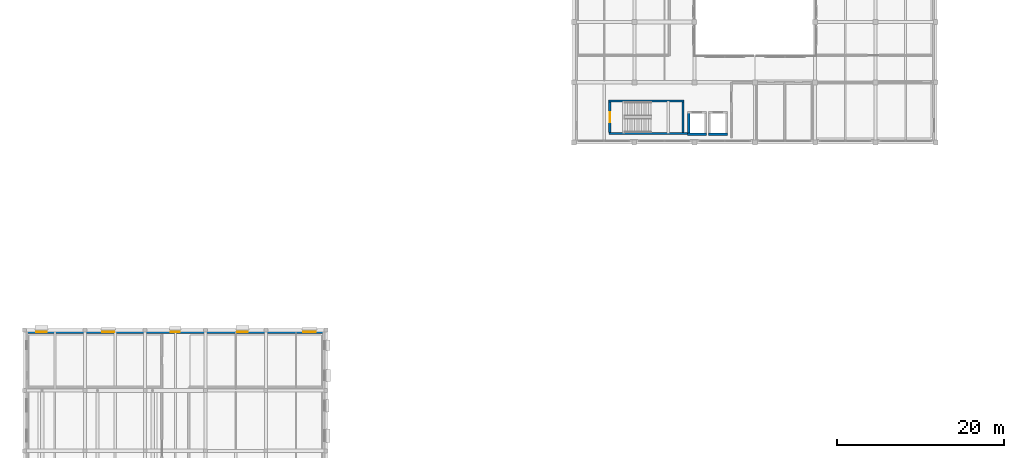
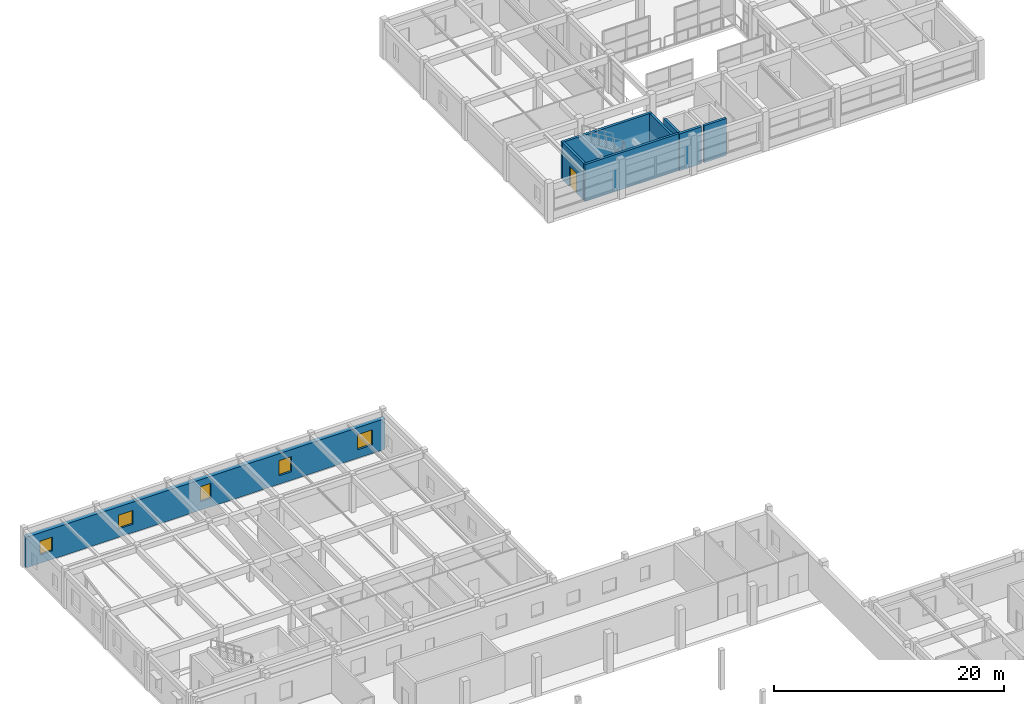
# One storey, part 31 of 49: 8 walls, 5 windows, 1 door, 6 openings.
"""IFC4 building model written with IfcOpenShell, lengths in metres."""

import ifcopenshell
import ifcopenshell.guid

model = None  # the IFC model being written
_history = None  # IfcOwnerHistory: only IFC2X3 demands one
_inside = {}  # id of a spatial element -> (the spatial element, [elements in it])
_under = {}  # id of a project, library or spatial element -> (it, [spatial elements below it])
_declared = {}  # id of a project -> (the project, [libraries it declares])
_typed = {}  # id of a type object -> (the type object, [elements of that type])
_made_of = {}  # id of a material, layer set ... -> (it, [elements and type objects made of it])


def new_model(schema):
    """Start an empty IFC model of exactly this schema.

    Asked for "IFC4X3", IfcOpenShell would pick the latest addendum, in which some entities
    have other attributes; the version numbers below select the first issue.
    IFC2X3 requires an IfcOwnerHistory on every rooted entity: one is made here for all.
    """
    global model, _history
    if schema == "IFC4X3":
        model = ifcopenshell.file(schema_version=(4, 3, 0, 0))
    else:
        model = ifcopenshell.file(schema=schema)
    _inside.clear()
    _under.clear()
    _declared.clear()
    _typed.clear()
    _made_of.clear()
    _history = None
    if model.schema == "IFC2X3":
        org = make("IfcOrganization", Name="unknown")
        user = make(
            "IfcPersonAndOrganization",
            ThePerson=make("IfcPerson", FamilyName="unknown"),
            TheOrganization=org,
        )
        app = make(
            "IfcApplication",
            ApplicationDeveloper=org,
            Version="unknown",
            ApplicationFullName="unknown",
            ApplicationIdentifier="unknown",
        )
        _history = make(
            "IfcOwnerHistory",
            OwningUser=user,
            OwningApplication=app,
            ChangeAction="ADDED",
            CreationDate=0,
        )
    return model


def make(cls, **values):
    """One entity of the class cls with the attributes given. An attribute that is None is left unset."""
    return model.create_entity(
        cls, **{name: value for name, value in values.items() if value is not None}
    )


def rooted(cls, **values):
    """An entity with a GlobalId (a new one), such as an element, a storey or a relation."""
    return make(cls, GlobalId=ifcopenshell.guid.new(), OwnerHistory=_history, **values)


def si_unit(unit_type, name, prefix=None):
    """IfcSIUnit, for example si_unit("LENGTHUNIT", "METRE", prefix="MILLI")."""
    return make("IfcSIUnit", UnitType=unit_type, Prefix=prefix, Name=name)


def assignment(units):
    """IfcUnitAssignment: the units of a project."""
    return None if units is None else make("IfcUnitAssignment", Units=units)


def point(xyz):
    """IfcCartesianPoint."""
    return None if xyz is None else make("IfcCartesianPoint", Coordinates=xyz)


def direction(xyz):
    """IfcDirection."""
    return None if xyz is None else make("IfcDirection", DirectionRatios=xyz)


def frame(location, z_axis=None, x_axis=None):
    """IfcAxis2Placement3D, a coordinate frame: its origin and axes. An axis left out is left unset."""
    return make(
        "IfcAxis2Placement3D",
        Location=point(location),
        Axis=direction(z_axis),
        RefDirection=direction(x_axis),
    )


def frame_2d(location, x_axis=None):
    """IfcAxis2Placement2D, a coordinate frame in the plane: its origin and x axis."""
    return make(
        "IfcAxis2Placement2D", Location=point(location), RefDirection=direction(x_axis)
    )


def origin():
    """The frame at (0, 0, 0) with its axes left unset."""
    return frame((0.0, 0.0, 0.0))


def place(relative_to, where):
    """IfcLocalPlacement: puts the frame where relative to a parent placement (None: the world)."""
    return make(
        "IfcLocalPlacement", PlacementRelTo=relative_to, RelativePlacement=where
    )


def context(
    kind, dimensions, precision=None, world=None, true_north=None, identifier=None
):
    """IfcGeometricRepresentationContext, for example the 3D "Model" context."""
    return make(
        "IfcGeometricRepresentationContext",
        ContextIdentifier=identifier,
        ContextType=kind,
        CoordinateSpaceDimension=dimensions,
        Precision=precision,
        WorldCoordinateSystem=world,
        TrueNorth=true_north,
    )


def subcontext(parent, identifier, kind, view, scale=None):
    """IfcGeometricRepresentationSubContext, for example "Body" below "Model"."""
    return make(
        "IfcGeometricRepresentationSubContext",
        ContextIdentifier=identifier,
        ContextType=kind,
        ParentContext=parent,
        TargetScale=scale,
        TargetView=view,
    )


def project(units=None, contexts=None):
    """IfcProject with its units and contexts."""
    return rooted(
        "IfcProject",
        Name="project",
        RepresentationContexts=contexts,
        UnitsInContext=assignment(units),
    )


def spatial(cls, under=None, at=None, **own):
    """A site, building, storey or space (cls), placed at a placement, below another one or the project."""
    s = rooted(cls, ObjectPlacement=at, **own)
    if under is not None:
        _under.setdefault(under.id(), (under, []))[1].append(s)
    return s


def profile(cls, at=None, kind="AREA", **sizes):
    """A parametric profile (cls). Its sizes go by their IFC names, for example OverallWidth=200.0."""
    return make(cls, ProfileType=kind, Position=at, **sizes)


def rectangle(**sizes):
    """IfcRectangleProfileDef."""
    return profile("IfcRectangleProfileDef", **sizes)


def extrude(swept, where, along, depth):
    """IfcExtrudedAreaSolid: the profile swept, set in the frame where, extruded along a direction by depth."""
    return make(
        "IfcExtrudedAreaSolid",
        SweptArea=swept,
        Position=where,
        ExtrudedDirection=direction(along),
        Depth=depth,
    )


def shape(context_of_items, identifier, shape_type, items):
    """IfcShapeRepresentation: the items that make up one representation, for example the "Body"."""
    return make(
        "IfcShapeRepresentation",
        ContextOfItems=context_of_items,
        RepresentationIdentifier=identifier,
        RepresentationType=shape_type,
        Items=items,
    )


def material(Name=None, Category=None):
    """IfcMaterial."""
    return make("IfcMaterial", Name=Name, Category=Category)


def layer(
    of_material, thickness, ventilated=None, Name=None, Category=None, Priority=None
):
    """IfcMaterialLayer: one layer of a wall or slab, of a material (None: an air gap)."""
    return make(
        "IfcMaterialLayer",
        Material=of_material,
        LayerThickness=thickness,
        IsVentilated=ventilated,
        Name=Name,
        Category=Category,
        Priority=Priority,
    )


def layer_set(layers, Name=None):
    """IfcMaterialLayerSet."""
    return make("IfcMaterialLayerSet", MaterialLayers=layers, LayerSetName=Name)


def made_of(thing, what):
    """Note that an element or type object is made of a material, layer set ...; save() writes the relation."""
    if what is not None:
        _made_of.setdefault(what.id(), (what, []))[1].append(thing)
    return thing


def type_object(cls, material=None, **own):
    """A type object (cls), such as IfcWallType, which elements share."""
    return made_of(rooted(cls, **own), material)


def element(
    cls,
    number,
    at=None,
    inside=None,
    cuts=None,
    type_object=None,
    material=None,
    context=None,
    identifier="Body",
    shape_type=None,
    held_by="IfcProductDefinitionShape",
    body=None,
    shapes=None,
    **own,
):
    """One element of the class cls, such as IfcWall. Its Tag is "e" and its number.

    at: its placement. inside: the storey or other place that contains it. cuts: it is an
    opening in that element (IfcRelVoidsElement). A single representation is given by context,
    identifier, shape_type and body (its items); several are given by shapes. held_by: the class
    of the entity that holds the representations. save() writes the other relations.
    """
    e = rooted(cls, Tag="e%d" % number, ObjectPlacement=at, **own)
    if body is not None:
        shapes = [shape(context, identifier, shape_type, body)]
    if shapes is not None:
        e.Representation = make(held_by, Representations=shapes)
    if inside is not None:
        _inside.setdefault(inside.id(), (inside, []))[1].append(e)
    if cuts is not None:
        rooted(
            "IfcRelVoidsElement", RelatingBuildingElement=cuts, RelatedOpeningElement=e
        )
    if type_object is not None:
        _typed.setdefault(type_object.id(), (type_object, []))[1].append(e)
    return made_of(e, material)


def fill(opening, filler):
    """IfcRelFillsElement: the door or window that sits in an opening."""
    return rooted(
        "IfcRelFillsElement",
        RelatingOpeningElement=opening,
        RelatedBuildingElement=filler,
    )


def aggregate(whole, parts):
    """IfcRelAggregates: a whole, such as a stair, and the parts it consists of."""
    return rooted("IfcRelAggregates", RelatingObject=whole, RelatedObjects=parts)


def save(model, path):
    """Write the relations noted so far, then the file.

    IfcRelAggregates (storeys below a building ...), IfcRelContainedInSpatialStructure (elements
    in a storey), IfcRelDefinesByType, IfcRelAssociatesMaterial and IfcRelDeclares: one each for
    every whole, place, type object, material and project.
    """
    for whole, parts in _under.values():
        aggregate(whole, parts)
    for where, things in _inside.values():
        rooted(
            "IfcRelContainedInSpatialStructure",
            RelatedElements=things,
            RelatingStructure=where,
        )
    for kind, things in _typed.values():
        rooted("IfcRelDefinesByType", RelatedObjects=things, RelatingType=kind)
    for what, things in _made_of.values():
        rooted("IfcRelAssociatesMaterial", RelatedObjects=things, RelatingMaterial=what)
    for by, libraries in _declared.values():
        rooted("IfcRelDeclares", RelatingContext=by, RelatedDefinitions=libraries)
    model.write(path)


model = new_model("IFC4")

# Units and contexts
model_context = context("Model", 3, precision=1e-05, world=origin(), true_north=direction((0.0, 1.0)))
body_context = subcontext(model_context, "Body", "Model", "MODEL_VIEW")
ifc_project = project(units=[si_unit("LENGTHUNIT", "METRE"), si_unit("AREAUNIT", "SQUARE_METRE"), si_unit("VOLUMEUNIT", "CUBIC_METRE"), si_unit("PLANEANGLEUNIT", "RADIAN"), si_unit("MASSUNIT", "GRAM", prefix="KILO")], contexts=[model_context])

# Site, building, storey
site_placement = place(None, origin())
site = spatial("IfcSite", under=ifc_project, at=site_placement, CompositionType="ELEMENT")
building_placement = place(site_placement, origin())
building = spatial("IfcBuilding", under=site, at=building_placement, Name="Bramveld Media Centre", CompositionType="ELEMENT")
storey_placement = place(building_placement, frame((0.0, 0.0, 9.60009765625)))
storey = spatial("IfcBuildingStorey", under=building, at=storey_placement, Name="L02", CompositionType="ELEMENT", Elevation=9.60009765625)

# Walls
ifc_material_1 = material(Name="Concrete C40/50 stair & lift core wall", Category="concrete")
ifc_layer_1 = layer(ifc_material_1, 0.25)
ifc_layer_set_1 = layer_set([ifc_layer_1], Name="Concrete C40/50 stair & lift core wall")
wall_type_1 = type_object("IfcWallType", Name="CWALL-SHEAR-250", PredefinedType="SHEAR", material=ifc_layer_set_1)
wall_1_placement = place(storey_placement, frame((69.75, 91.47509765625, 0.0), z_axis=(0.0, 0.0, 1.0), x_axis=(1.0, 0.0, 0.0)))
element("IfcWall", 1, at=wall_1_placement, inside=storey, type_object=wall_type_1, Name="ST-07 L02 stair core shear wall S", PredefinedType="SHEAR", context=body_context, shape_type="SweptSolid", body=[
    extrude(rectangle(XDim=9.570068359375, YDim=0.25, at=frame_2d((4.78515625, 0.0))), origin(), (0.0, 0.0, 1.0), 3.919921875),
])
wall_2_placement = place(storey_placement, frame((78.75, 95.375, 0.0), z_axis=(0.0, 0.0, 1.0), x_axis=(-1.0, 0.0, 0.0)))
element("IfcWall", 2, at=wall_2_placement, inside=storey, type_object=wall_type_1, Name="ST-07 L02 stair core shear wall N", PredefinedType="SHEAR", context=body_context, shape_type="SweptSolid", body=[
    extrude(rectangle(XDim=9.0, YDim=0.25, at=frame_2d((4.5, 0.0))), origin(), (0.0, 0.0, 1.0), 3.919921875),
])

# Wall, opening, door
wall_3_placement = place(storey_placement, frame((69.875, 95.25, 0.0), z_axis=(0.0, 0.0, 1.0), x_axis=(0.0, -1.0, 0.0)))
wall_3 = element("IfcWall", 3, at=wall_3_placement, inside=storey, type_object=wall_type_1, Name="ST-07 L02 stair core shear wall W", PredefinedType="SHEAR", context=body_context, shape_type="SweptSolid", body=[
    extrude(rectangle(XDim=3.64990234375, YDim=0.25, at=frame_2d((1.824951171875, 0.0))), origin(), (0.0, 0.0, 1.0), 3.919921875),
])
opening_1_placement = place(wall_3_placement, frame((1.199951171875, 0.0, 0.0)))
opening_1 = element("IfcOpeningElement", 4, at=opening_1_placement, cuts=wall_3, Name="Opening SD-07-L02", PredefinedType="OPENING", context=body_context, shape_type="SweptSolid", body=[
    extrude(rectangle(XDim=1.25, YDim=2.14990234375, at=frame_2d((0.625, 1.074951171875))), frame((0.0, 0.136962890625, 0.0), z_axis=(0.0, -1.0, 0.0), x_axis=(1.0, 0.0, 0.0)), (0.0, 0.0, 1.0), 0.27392578125),
])
ifc_material_2 = material(Name="Painted galvanized steel acoustic fire door with intumescent smoke seals", Category="steel")
door_type = type_object("IfcDoorType", Name="DR-ST-1250", OperationType="NOTDEFINED", PredefinedType="DOOR", material=ifc_material_2)
door_placement = place(opening_1_placement, origin())
door = element("IfcDoor", 5, at=door_placement, inside=storey, type_object=door_type, Name="ST-07 L02 pressurized stair fire door", OperationType="SINGLE_SWING_LEFT", OverallHeight=2.14990234375, OverallWidth=1.25, PredefinedType="DOOR", context=body_context, shape_type="SweptSolid", body=[
    extrude(rectangle(XDim=1.25, YDim=2.14990234375, at=frame_2d((0.625, 1.074951171875))), frame((0.0, 0.02490234375, 0.0), z_axis=(0.0, -1.0, 0.0), x_axis=(1.0, 0.0, 0.0)), (0.0, 0.0, 1.0), 0.050048828125),
])
fill(opening_1, door)

# Walls
wall_4_placement = place(storey_placement, frame((78.625, 91.60009765625, 0.0), z_axis=(0.0, 0.0, 1.0), x_axis=(0.0, 1.0, 0.0)))
element("IfcWall", 6, at=wall_4_placement, inside=storey, type_object=wall_type_1, Name="ST-07 L02 stair core shear wall E", PredefinedType="SHEAR", context=body_context, shape_type="SweptSolid", body=[
    extrude(rectangle(XDim=3.64990234375, YDim=0.25, at=frame_2d((1.824951171875, 0.0))), origin(), (0.0, 0.0, 1.0), 3.919921875),
])
wall_5_placement = place(storey_placement, frame((79.175048828125, 91.39990234375, 0.0), z_axis=(0.0, 0.0, 1.0), x_axis=(1.0, 0.0, 0.0)))
element("IfcWall", 7, at=wall_5_placement, inside=storey, type_object=wall_type_1, Name="PL-04 L02 lift shaft wall S", PredefinedType="SHEAR", context=body_context, shape_type="SweptSolid", body=[
    extrude(rectangle(XDim=2.25, YDim=0.25, at=frame_2d((1.125, 0.0))), origin(), (0.0, 0.0, 1.0), 3.919921875),
])
wall_6_placement = place(storey_placement, frame((79.300048828125, 94.0, 0.0), z_axis=(0.0, 0.0, 1.0), x_axis=(0.0, -1.0, 0.0)))
element("IfcWall", 8, at=wall_6_placement, inside=storey, type_object=wall_type_1, Name="PL-04 L02 lift shaft wall W", PredefinedType="SHEAR", context=body_context, shape_type="SweptSolid", body=[
    extrude(rectangle(XDim=2.60009765625, YDim=0.25, at=frame_2d((1.300048828125, 0.0))), origin(), (0.0, 0.0, 1.0), 3.919921875),
])
wall_7_placement = place(storey_placement, frame((81.675048828125, 91.39990234375, 0.0), z_axis=(0.0, 0.0, 1.0), x_axis=(1.0, 0.0, 0.0)))
element("IfcWall", 9, at=wall_7_placement, inside=storey, type_object=wall_type_1, Name="PL-03 L02 lift shaft wall S", PredefinedType="SHEAR", context=body_context, shape_type="SweptSolid", body=[
    extrude(rectangle(XDim=2.25, YDim=0.25, at=frame_2d((1.125, 0.0))), origin(), (0.0, 0.0, 1.0), 3.919921875),
])

# Wall, openings, windows
ifc_material_3 = material(Name="Flemish red-brown clay facing brick cavity wall with concrete C35/45 inner leaf", Category="masonry")
ifc_layer_2 = layer(ifc_material_3, 0.419921875)
ifc_layer_set_2 = layer_set([ifc_layer_2], Name="Flemish red-brown clay facing brick cavity wall with concrete C35/45 inner leaf")
wall_type_2 = type_object("IfcWallType", Name="EW-BRK-420", PredefinedType="SOLIDWALL", material=ifc_layer_set_2)
wall_8_placement = place(storey_placement, frame((0.0, 67.7900390625, 0.0), z_axis=(0.0, 0.0, 1.0), x_axis=(1.0, 0.0, 0.0)))
wall_8 = element("IfcWall", 10, at=wall_8_placement, inside=storey, type_object=wall_type_2, Name="V3 L02 N facing brick exterior wall", PredefinedType="SOLIDWALL", context=body_context, shape_type="SweptSolid", body=[
    extrude(rectangle(XDim=36.0, YDim=0.419921875, at=frame_2d((18.0, 0.0))), origin(), (0.0, 0.0, 1.0), 3.244873046875),
])
opening_2_placement = place(wall_8_placement, frame((1.375, 0.0, 0.89990234375)))
opening_2 = element("IfcOpeningElement", 11, at=opening_2_placement, cuts=wall_8, Name="Opening W-10", PredefinedType="OPENING", context=body_context, shape_type="SweptSolid", body=[
    extrude(rectangle(XDim=1.25, YDim=1.449951171875, at=frame_2d((0.625, 0.72509765625))), frame((0.0, 0.221923828125, 0.0), z_axis=(0.0, -1.0, 0.0), x_axis=(1.0, 0.0, 0.0)), (0.0, 0.0, 1.0), 0.44384765625),
])
opening_3_placement = place(wall_8_placement, frame((9.27490234375, 0.0, 0.89990234375)))
opening_3 = element("IfcOpeningElement", 12, at=opening_3_placement, cuts=wall_8, Name="Opening W-12", PredefinedType="OPENING", context=body_context, shape_type="SweptSolid", body=[
    extrude(rectangle(XDim=1.449951171875, YDim=1.449951171875, at=frame_2d((0.72509765625, 0.72509765625))), frame((0.0, 0.221923828125, 0.0), z_axis=(0.0, -1.0, 0.0), x_axis=(1.0, 0.0, 0.0)), (0.0, 0.0, 1.0), 0.44384765625),
])
opening_4_placement = place(wall_8_placement, frame((17.47509765625, 0.0, 0.89990234375)))
opening_4 = element("IfcOpeningElement", 13, at=opening_4_placement, cuts=wall_8, Name="Opening W-14", PredefinedType="OPENING", context=body_context, shape_type="SweptSolid", body=[
    extrude(rectangle(XDim=1.050048828125, YDim=1.60009765625, at=frame_2d((0.52490234375, 0.800048828125))), frame((0.0, 0.221923828125, 0.0), z_axis=(0.0, -1.0, 0.0), x_axis=(1.0, 0.0, 0.0)), (0.0, 0.0, 1.0), 0.44384765625),
])
opening_5_placement = place(wall_8_placement, frame((25.375, 0.0, 0.89990234375)))
opening_5 = element("IfcOpeningElement", 14, at=opening_5_placement, cuts=wall_8, Name="Opening W-16", PredefinedType="OPENING", context=body_context, shape_type="SweptSolid", body=[
    extrude(rectangle(XDim=1.25, YDim=1.60009765625, at=frame_2d((0.625, 0.800048828125))), frame((0.0, 0.221923828125, 0.0), z_axis=(0.0, -1.0, 0.0), x_axis=(1.0, 0.0, 0.0)), (0.0, 0.0, 1.0), 0.44384765625),
])
opening_6_placement = place(wall_8_placement, frame((33.25, 0.0, 0.89990234375)))
opening_6 = element("IfcOpeningElement", 15, at=opening_6_placement, cuts=wall_8, Name="Opening W-18", PredefinedType="OPENING", context=body_context, shape_type="SweptSolid", body=[
    extrude(rectangle(XDim=1.5, YDim=1.60009765625, at=frame_2d((0.75, 0.800048828125))), frame((0.0, 0.221923828125, 0.0), z_axis=(0.0, -1.0, 0.0), x_axis=(1.0, 0.0, 0.0)), (0.0, 0.0, 1.0), 0.44384765625),
])
ifc_material_4 = material(Name="Thermally broken anodized bronze aluminium frame with triple acoustic glazing", Category="aluminium")
window_type_1 = type_object("IfcWindowType", Name="WIN-FAC-10", PartitioningType="SINGLE_PANEL", PredefinedType="WINDOW", material=ifc_material_4)
window_1_placement = place(opening_2_placement, origin())
window_1 = element("IfcWindow", 16, at=window_1_placement, inside=storey, type_object=window_type_1, Name="V3 L02 N acoustic facade window", OverallHeight=1.449951171875, OverallWidth=1.25, PartitioningType="SINGLE_PANEL", PredefinedType="WINDOW", context=body_context, shape_type="SweptSolid", body=[
    extrude(rectangle(XDim=1.25, YDim=1.449951171875, at=frame_2d((0.625, 0.72509765625))), frame((0.0, 0.030029296875, 0.0), z_axis=(0.0, -1.0, 0.0), x_axis=(1.0, 0.0, 0.0)), (0.0, 0.0, 1.0), 0.06005859375),
])
fill(opening_2, window_1)
ifc_material_5 = material(Name="Thermally broken anodized bronze aluminium frame with triple acoustic glazing", Category="aluminium")
window_type_2 = type_object("IfcWindowType", Name="WIN-FAC-12", PartitioningType="SINGLE_PANEL", PredefinedType="WINDOW", material=ifc_material_5)
window_2_placement = place(opening_3_placement, origin())
window_2 = element("IfcWindow", 17, at=window_2_placement, inside=storey, type_object=window_type_2, Name="V3 L02 N acoustic facade window", OverallHeight=1.449951171875, OverallWidth=1.449951171875, PartitioningType="SINGLE_PANEL", PredefinedType="WINDOW", context=body_context, shape_type="SweptSolid", body=[
    extrude(rectangle(XDim=1.449951171875, YDim=1.449951171875, at=frame_2d((0.72509765625, 0.72509765625))), frame((0.0, 0.030029296875, 0.0), z_axis=(0.0, -1.0, 0.0), x_axis=(1.0, 0.0, 0.0)), (0.0, 0.0, 1.0), 0.06005859375),
])
fill(opening_3, window_2)
ifc_material_6 = material(Name="Thermally broken anodized bronze aluminium frame with triple acoustic glazing", Category="aluminium")
window_type_3 = type_object("IfcWindowType", Name="WIN-FAC-14", PartitioningType="SINGLE_PANEL", PredefinedType="WINDOW", material=ifc_material_6)
window_3_placement = place(opening_4_placement, origin())
window_3 = element("IfcWindow", 18, at=window_3_placement, inside=storey, type_object=window_type_3, Name="V3 L02 N acoustic facade window", OverallHeight=1.60009765625, OverallWidth=1.050048828125, PartitioningType="SINGLE_PANEL", PredefinedType="WINDOW", context=body_context, shape_type="SweptSolid", body=[
    extrude(rectangle(XDim=1.050048828125, YDim=1.60009765625, at=frame_2d((0.52490234375, 0.800048828125))), frame((0.0, 0.030029296875, 0.0), z_axis=(0.0, -1.0, 0.0), x_axis=(1.0, 0.0, 0.0)), (0.0, 0.0, 1.0), 0.06005859375),
])
fill(opening_4, window_3)
ifc_material_7 = material(Name="Thermally broken anodized bronze aluminium frame with triple acoustic glazing", Category="aluminium")
window_type_4 = type_object("IfcWindowType", Name="WIN-FAC-16", PartitioningType="SINGLE_PANEL", PredefinedType="WINDOW", material=ifc_material_7)
window_4_placement = place(opening_5_placement, origin())
window_4 = element("IfcWindow", 19, at=window_4_placement, inside=storey, type_object=window_type_4, Name="V3 L02 N acoustic facade window", OverallHeight=1.60009765625, OverallWidth=1.25, PartitioningType="SINGLE_PANEL", PredefinedType="WINDOW", context=body_context, shape_type="SweptSolid", body=[
    extrude(rectangle(XDim=1.25, YDim=1.60009765625, at=frame_2d((0.625, 0.800048828125))), frame((0.0, 0.030029296875, 0.0), z_axis=(0.0, -1.0, 0.0), x_axis=(1.0, 0.0, 0.0)), (0.0, 0.0, 1.0), 0.06005859375),
])
fill(opening_5, window_4)
ifc_material_8 = material(Name="Thermally broken anodized bronze aluminium frame with triple acoustic glazing", Category="aluminium")
window_type_5 = type_object("IfcWindowType", Name="WIN-FAC-18", PartitioningType="SINGLE_PANEL", PredefinedType="WINDOW", material=ifc_material_8)
window_5_placement = place(opening_6_placement, origin())
window_5 = element("IfcWindow", 20, at=window_5_placement, inside=storey, type_object=window_type_5, Name="V3 L02 N acoustic facade window", OverallHeight=1.60009765625, OverallWidth=1.5, PartitioningType="SINGLE_PANEL", PredefinedType="WINDOW", context=body_context, shape_type="SweptSolid", body=[
    extrude(rectangle(XDim=1.5, YDim=1.60009765625, at=frame_2d((0.75, 0.800048828125))), frame((0.0, 0.030029296875, 0.0), z_axis=(0.0, -1.0, 0.0), x_axis=(1.0, 0.0, 0.0)), (0.0, 0.0, 1.0), 0.06005859375),
])
fill(opening_6, window_5)

save(model, "model.ifc")
